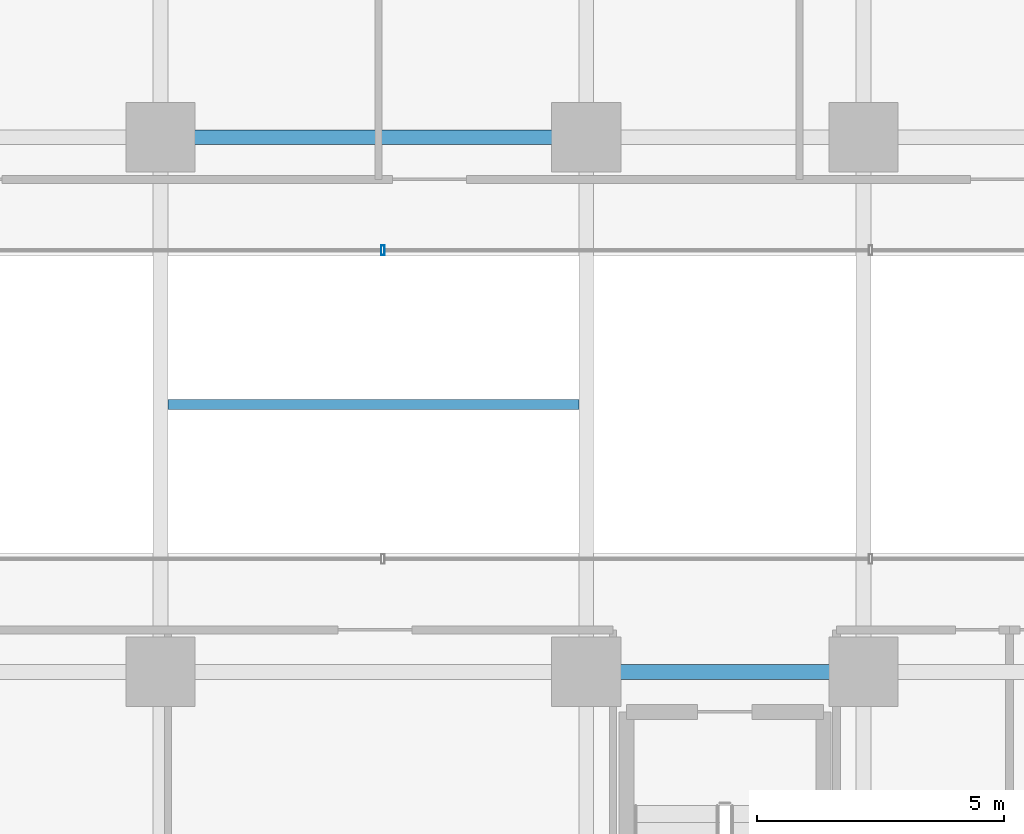
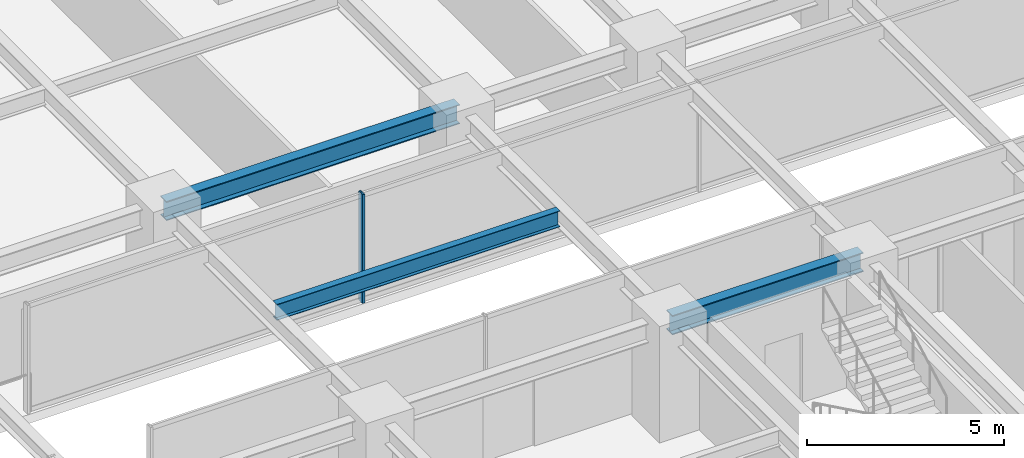
# One storey, part 11 of 47: 3 beams, 1 member, 1 element without a shape of its own.
"""IFC4 building model written with IfcOpenShell, lengths in metres."""

import ifcopenshell
import ifcopenshell.guid

model = None  # the IFC model being written
_history = None  # IfcOwnerHistory: only IFC2X3 demands one
_inside = {}  # id of a spatial element -> (the spatial element, [elements in it])
_under = {}  # id of a project, library or spatial element -> (it, [spatial elements below it])
_declared = {}  # id of a project -> (the project, [libraries it declares])
_typed = {}  # id of a type object -> (the type object, [elements of that type])
_made_of = {}  # id of a material, layer set ... -> (it, [elements and type objects made of it])


def new_model(schema):
    """Start an empty IFC model of exactly this schema.

    Asked for "IFC4X3", IfcOpenShell would pick the latest addendum, in which some entities
    have other attributes; the version numbers below select the first issue.
    IFC2X3 requires an IfcOwnerHistory on every rooted entity: one is made here for all.
    """
    global model, _history
    if schema == "IFC4X3":
        model = ifcopenshell.file(schema_version=(4, 3, 0, 0))
    else:
        model = ifcopenshell.file(schema=schema)
    _inside.clear()
    _under.clear()
    _declared.clear()
    _typed.clear()
    _made_of.clear()
    _history = None
    if model.schema == "IFC2X3":
        org = make("IfcOrganization", Name="unknown")
        user = make(
            "IfcPersonAndOrganization",
            ThePerson=make("IfcPerson", FamilyName="unknown"),
            TheOrganization=org,
        )
        app = make(
            "IfcApplication",
            ApplicationDeveloper=org,
            Version="unknown",
            ApplicationFullName="unknown",
            ApplicationIdentifier="unknown",
        )
        _history = make(
            "IfcOwnerHistory",
            OwningUser=user,
            OwningApplication=app,
            ChangeAction="ADDED",
            CreationDate=0,
        )
    return model


def make(cls, **values):
    """One entity of the class cls with the attributes given. An attribute that is None is left unset."""
    return model.create_entity(
        cls, **{name: value for name, value in values.items() if value is not None}
    )


def rooted(cls, **values):
    """An entity with a GlobalId (a new one), such as an element, a storey or a relation."""
    return make(cls, GlobalId=ifcopenshell.guid.new(), OwnerHistory=_history, **values)


def si_unit(unit_type, name, prefix=None):
    """IfcSIUnit, for example si_unit("LENGTHUNIT", "METRE", prefix="MILLI")."""
    return make("IfcSIUnit", UnitType=unit_type, Prefix=prefix, Name=name)


def assignment(units):
    """IfcUnitAssignment: the units of a project."""
    return None if units is None else make("IfcUnitAssignment", Units=units)


def point(xyz):
    """IfcCartesianPoint."""
    return None if xyz is None else make("IfcCartesianPoint", Coordinates=xyz)


def direction(xyz):
    """IfcDirection."""
    return None if xyz is None else make("IfcDirection", DirectionRatios=xyz)


def frame(location, z_axis=None, x_axis=None):
    """IfcAxis2Placement3D, a coordinate frame: its origin and axes. An axis left out is left unset."""
    return make(
        "IfcAxis2Placement3D",
        Location=point(location),
        Axis=direction(z_axis),
        RefDirection=direction(x_axis),
    )


def frame_2d(location, x_axis=None):
    """IfcAxis2Placement2D, a coordinate frame in the plane: its origin and x axis."""
    return make(
        "IfcAxis2Placement2D", Location=point(location), RefDirection=direction(x_axis)
    )


def origin():
    """The frame at (0, 0, 0) with its axes left unset."""
    return frame((0.0, 0.0, 0.0))


def origin_2d():
    """The frame at (0, 0) in the plane with its x axis left unset."""
    return frame_2d((0.0, 0.0))


def place(relative_to, where):
    """IfcLocalPlacement: puts the frame where relative to a parent placement (None: the world)."""
    return make(
        "IfcLocalPlacement", PlacementRelTo=relative_to, RelativePlacement=where
    )


def context(
    kind, dimensions, precision=None, world=None, true_north=None, identifier=None
):
    """IfcGeometricRepresentationContext, for example the 3D "Model" context."""
    return make(
        "IfcGeometricRepresentationContext",
        ContextIdentifier=identifier,
        ContextType=kind,
        CoordinateSpaceDimension=dimensions,
        Precision=precision,
        WorldCoordinateSystem=world,
        TrueNorth=true_north,
    )


def subcontext(parent, identifier, kind, view, scale=None):
    """IfcGeometricRepresentationSubContext, for example "Body" below "Model"."""
    return make(
        "IfcGeometricRepresentationSubContext",
        ContextIdentifier=identifier,
        ContextType=kind,
        ParentContext=parent,
        TargetScale=scale,
        TargetView=view,
    )


def project(units=None, contexts=None):
    """IfcProject with its units and contexts."""
    return rooted(
        "IfcProject",
        Name="project",
        RepresentationContexts=contexts,
        UnitsInContext=assignment(units),
    )


def spatial(cls, under=None, at=None, **own):
    """A site, building, storey or space (cls), placed at a placement, below another one or the project."""
    s = rooted(cls, ObjectPlacement=at, **own)
    if under is not None:
        _under.setdefault(under.id(), (under, []))[1].append(s)
    return s


def profile(cls, at=None, kind="AREA", **sizes):
    """A parametric profile (cls). Its sizes go by their IFC names, for example OverallWidth=200.0."""
    return make(cls, ProfileType=kind, Position=at, **sizes)


def hollow_rectangle(**sizes):
    """IfcRectangleHollowProfileDef."""
    return profile("IfcRectangleHollowProfileDef", **sizes)


def i_section(**sizes):
    """IfcIShapeProfileDef."""
    return profile("IfcIShapeProfileDef", **sizes)


def extrude(swept, where, along, depth):
    """IfcExtrudedAreaSolid: the profile swept, set in the frame where, extruded along a direction by depth."""
    return make(
        "IfcExtrudedAreaSolid",
        SweptArea=swept,
        Position=where,
        ExtrudedDirection=direction(along),
        Depth=depth,
    )


def shape(context_of_items, identifier, shape_type, items):
    """IfcShapeRepresentation: the items that make up one representation, for example the "Body"."""
    return make(
        "IfcShapeRepresentation",
        ContextOfItems=context_of_items,
        RepresentationIdentifier=identifier,
        RepresentationType=shape_type,
        Items=items,
    )


def source(mapping_origin, context_of_items, identifier, shape_type, items):
    """IfcRepresentationMap: a shape defined once, which mapped items show again and again."""
    return make(
        "IfcRepresentationMap",
        MappingOrigin=mapping_origin,
        MappedRepresentation=shape(context_of_items, identifier, shape_type, items),
    )


def transform(
    local_origin,
    x_axis=None,
    y_axis=None,
    z_axis=None,
    scale=None,
    scale2=None,
    scale3=None,
    uniform=True,
):
    """IfcCartesianTransformationOperator3D, or its non-uniform kind. x_axis, y_axis, z_axis: its Axis1, 2, 3."""
    if uniform:
        return make(
            "IfcCartesianTransformationOperator3D",
            Axis1=direction(x_axis),
            Axis2=direction(y_axis),
            LocalOrigin=point(local_origin),
            Scale=scale,
            Axis3=direction(z_axis),
        )
    return make(
        "IfcCartesianTransformationOperator3DnonUniform",
        Axis1=direction(x_axis),
        Axis2=direction(y_axis),
        LocalOrigin=point(local_origin),
        Scale=scale,
        Axis3=direction(z_axis),
        Scale2=scale2,
        Scale3=scale3,
    )


def mapped(mapping_source, mapping_target):
    """IfcMappedItem: shows the shape of a source again, moved by a transform."""
    return make(
        "IfcMappedItem", MappingSource=mapping_source, MappingTarget=mapping_target
    )


def material(Name=None, Category=None):
    """IfcMaterial."""
    return make("IfcMaterial", Name=Name, Category=Category)


def material_profile(
    of_material, cross_section, Name=None, Category=None, Priority=None
):
    """IfcMaterialProfile: a cross section and its material."""
    return make(
        "IfcMaterialProfile",
        Name=Name,
        Material=of_material,
        Profile=cross_section,
        Priority=Priority,
        Category=Category,
    )


def profile_set(profiles, Name=None, composite=None):
    """IfcMaterialProfileSet."""
    return make(
        "IfcMaterialProfileSet",
        Name=Name,
        MaterialProfiles=profiles,
        CompositeProfile=composite,
    )


def made_of(thing, what):
    """Note that an element or type object is made of a material, layer set ...; save() writes the relation."""
    if what is not None:
        _made_of.setdefault(what.id(), (what, []))[1].append(thing)
    return thing


def type_object(cls, material=None, **own):
    """A type object (cls), such as IfcWallType, which elements share."""
    return made_of(rooted(cls, **own), material)


def element(
    cls,
    number,
    at=None,
    inside=None,
    cuts=None,
    type_object=None,
    material=None,
    context=None,
    identifier="Body",
    shape_type=None,
    held_by="IfcProductDefinitionShape",
    body=None,
    shapes=None,
    **own,
):
    """One element of the class cls, such as IfcWall. Its Tag is "e" and its number.

    at: its placement. inside: the storey or other place that contains it. cuts: it is an
    opening in that element (IfcRelVoidsElement). A single representation is given by context,
    identifier, shape_type and body (its items); several are given by shapes. held_by: the class
    of the entity that holds the representations. save() writes the other relations.
    """
    e = rooted(cls, Tag="e%d" % number, ObjectPlacement=at, **own)
    if body is not None:
        shapes = [shape(context, identifier, shape_type, body)]
    if shapes is not None:
        e.Representation = make(held_by, Representations=shapes)
    if inside is not None:
        _inside.setdefault(inside.id(), (inside, []))[1].append(e)
    if cuts is not None:
        rooted(
            "IfcRelVoidsElement", RelatingBuildingElement=cuts, RelatedOpeningElement=e
        )
    if type_object is not None:
        _typed.setdefault(type_object.id(), (type_object, []))[1].append(e)
    return made_of(e, material)


def aggregate(whole, parts):
    """IfcRelAggregates: a whole, such as a stair, and the parts it consists of."""
    return rooted("IfcRelAggregates", RelatingObject=whole, RelatedObjects=parts)


def save(model, path):
    """Write the relations noted so far, then the file.

    IfcRelAggregates (storeys below a building ...), IfcRelContainedInSpatialStructure (elements
    in a storey), IfcRelDefinesByType, IfcRelAssociatesMaterial and IfcRelDeclares: one each for
    every whole, place, type object, material and project.
    """
    for whole, parts in _under.values():
        aggregate(whole, parts)
    for where, things in _inside.values():
        rooted(
            "IfcRelContainedInSpatialStructure",
            RelatedElements=things,
            RelatingStructure=where,
        )
    for kind, things in _typed.values():
        rooted("IfcRelDefinesByType", RelatedObjects=things, RelatingType=kind)
    for what, things in _made_of.values():
        rooted("IfcRelAssociatesMaterial", RelatedObjects=things, RelatingMaterial=what)
    for by, libraries in _declared.values():
        rooted("IfcRelDeclares", RelatingContext=by, RelatedDefinitions=libraries)
    model.write(path)


model = new_model("IFC4")

# Units and contexts
model_context = context("Model", 3, precision=1e-05, world=origin(), true_north=direction((0.0, 1.0)))
body_context = subcontext(model_context, "Body", "Model", "MODEL_VIEW")
ifc_project = project(units=[si_unit("LENGTHUNIT", "METRE"), si_unit("AREAUNIT", "SQUARE_METRE"), si_unit("VOLUMEUNIT", "CUBIC_METRE"), si_unit("PLANEANGLEUNIT", "RADIAN"), si_unit("MASSUNIT", "GRAM", prefix="KILO")], contexts=[model_context])

# Site, building, storey
site_placement = place(None, origin())
site = spatial("IfcSite", under=ifc_project, at=site_placement, CompositionType="ELEMENT")
building_placement = place(site_placement, origin())
building = spatial("IfcBuilding", under=site, at=building_placement, Name="Nahalor Promenade Grand Hotel", CompositionType="ELEMENT")
storey_placement = place(building_placement, frame((0.0, 0.0, 68.89990234375)))
storey = spatial("IfcBuildingStorey", under=building, at=storey_placement, Name="L16", CompositionType="ELEMENT", Elevation=68.89990234375)

# Beams
ifc_material_1 = material(Name="Steel S355JR", Category="steel")
ifc_material_profile_1 = material_profile(ifc_material_1, i_section(OverallWidth=0.3, OverallDepth=0.6, WebThickness=0.0155, FlangeThickness=0.03, at=origin_2d()), Name="HEB 600")
ifc_profile_set_1 = profile_set([ifc_material_profile_1], Name="Steel S355JR")
beam_type_1 = type_object("IfcBeamType", Name="Beam-Girder-HEB600", PredefinedType="BEAM", material=ifc_profile_set_1)
shared_shape_1 = source(origin(), body_context, "Body", "SweptSolid", [
    extrude(i_section(OverallWidth=0.3, OverallDepth=0.6, WebThickness=0.0155, FlangeThickness=0.03, at=origin_2d()), origin(), (0.0, 0.0, 1.0), 8.60009765625),
])
beam_1_placement = place(storey_placement, frame((-17.0, 5.39990234375, 3.070068359375), z_axis=(1.0, 0.0, 0.0), x_axis=(0.0, 1.0, 0.0)))
element("IfcBeam", 1, at=beam_1_placement, inside=storey, type_object=beam_type_1, Name="BM-L16-GX-2-1", PredefinedType="BEAM", context=body_context, shape_type="MappedRepresentation", body=[
    mapped(shared_shape_1, transform((0.0, 0.0, 0.0), scale=1.0)),
])
shared_shape_2 = source(origin(), body_context, "Body", "SweptSolid", [
    extrude(i_section(OverallWidth=0.3, OverallDepth=0.6, WebThickness=0.0155, FlangeThickness=0.03, at=origin_2d()), origin(), (0.0, 0.0, 1.0), 5.599853515625),
])
beam_2_placement = place(storey_placement, frame((-8.39990234375, -5.39990234375, 3.070068359375), z_axis=(1.0, 0.0, 0.0), x_axis=(0.0, 1.0, 0.0)))
element("IfcBeam", 2, at=beam_2_placement, inside=storey, type_object=beam_type_1, Name="BM-L16-GX-1-2", PredefinedType="BEAM", context=body_context, shape_type="MappedRepresentation", body=[
    mapped(shared_shape_2, transform((0.0, 0.0, 0.0), scale=1.0)),
])
ifc_material_profile_2 = material_profile(ifc_material_1, i_section(OverallWidth=0.2, OverallDepth=0.5, WebThickness=0.0102, FlangeThickness=0.016, at=origin_2d()), Name="IPE 500")
ifc_profile_set_2 = profile_set([ifc_material_profile_2], Name="Steel S355JR")
beam_type_2 = type_object("IfcBeamType", Name="Beam-Joist-IPE500", PredefinedType="JOIST", material=ifc_profile_set_2)
shared_shape_3 = source(origin(), body_context, "Body", "SweptSolid", [
    extrude(i_section(OverallWidth=0.2, OverallDepth=0.5, WebThickness=0.0102, FlangeThickness=0.016, at=origin_2d()), origin(), (0.0, 0.0, 1.0), 8.300048828125),
])
beam_3_placement = place(storey_placement, frame((-16.85009765625, 0.0, 3.1201171875), z_axis=(1.0, 0.0, 0.0), x_axis=(0.0, 1.0, 0.0)))
element("IfcBeam", 3, at=beam_3_placement, inside=storey, type_object=beam_type_2, Name="BM-L16-JSC-0", PredefinedType="JOIST", context=body_context, shape_type="MappedRepresentation", body=[
    mapped(shared_shape_3, transform((0.0, 0.0, 0.0), scale=1.0)),
])

# Curtain wall, member
ifc_material_2 = material(Name="Anodised Bronze Aluminium EN AW-6063 T6", Category="aluminium")
curtain_wall_type = type_object("IfcCurtainWallType", Name="CW3 Elliptical-Void Collar Unitised Curtain Wall", PredefinedType="USERDEFINED", material=ifc_material_2)
curtain_wall_placement = place(storey_placement, origin())
curtain_wall = element("IfcCurtainWall", 4, at=curtain_wall_placement, inside=storey, type_object=curtain_wall_type, Name="L16 Curtain Wall CW-L16-VOID-WN1", ObjectType="UNITISED_CURTAIN_WALL", PredefinedType="USERDEFINED")
ifc_material_profile_3 = material_profile(ifc_material_2, hollow_rectangle(XDim=0.07, YDim=0.2, WallThickness=0.005, at=origin_2d()), Name="CWM 70x200x5")
ifc_profile_set_3 = profile_set([ifc_material_profile_3], Name="Anodised Bronze Aluminium EN AW-6063 T6")
member_type = type_object("IfcMemberType", Name="CWM3 Void Collar Mullion 70x200", PredefinedType="MULLION", material=ifc_profile_set_3)
shared_shape_4 = source(origin(), body_context, "Body", "SweptSolid", [
    extrude(hollow_rectangle(XDim=0.07, YDim=0.2, WallThickness=0.005, at=origin_2d()), origin(), (0.0, 0.0, 1.0), 3.3701171875),
])
member_placement = place(storey_placement, frame((-12.506591796875, 3.118896484375, 0.0), z_axis=(0.0, 0.0, 1.0), x_axis=(1.0, 0.0, 0.0)))
member = element("IfcMember", 5, at=member_placement, type_object=member_type, Name="CW-L16-VOID-WN1 Mullion 1", PredefinedType="MULLION", context=body_context, shape_type="MappedRepresentation", body=[
    mapped(shared_shape_4, transform((0.0, 0.0, 0.0), scale=1.0)),
])
aggregate(curtain_wall, [member])

save(model, "model.ifc")
